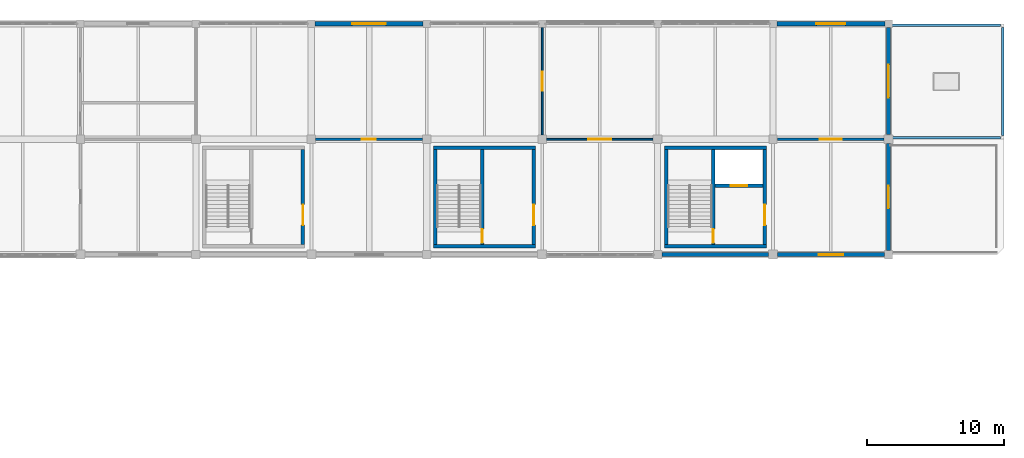
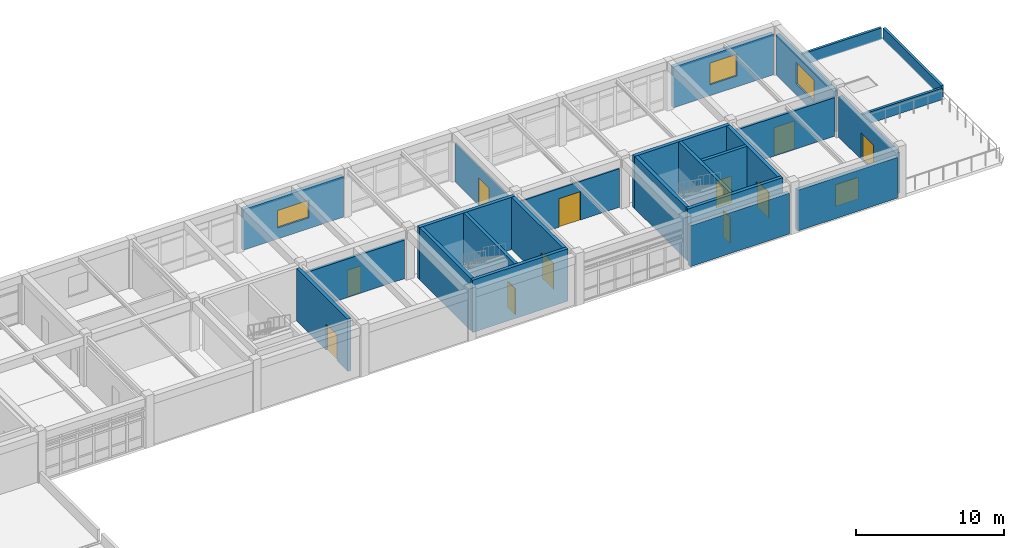
# One storey, part 16 of 18: 25 walls, 11 doors, 4 windows, 15 openings.
"""IFC4 building model written with IfcOpenShell, lengths in metres."""

from ifc_helpers import new_model, si_unit, direction, frame, frame_2d, origin, place, context, subcontext, project, spatial, rectangle, extrude, material, layer, layer_set, type_object, element, fill, save


model = new_model("IFC4")

# Units and contexts
model_context = context("Model", 3, precision=1e-05, world=origin(), true_north=direction((0.0, 1.0)))
body_context = subcontext(model_context, "Body", "Model", "MODEL_VIEW")
ifc_project = project(units=[si_unit("LENGTHUNIT", "METRE"), si_unit("AREAUNIT", "SQUARE_METRE"), si_unit("VOLUMEUNIT", "CUBIC_METRE"), si_unit("PLANEANGLEUNIT", "RADIAN"), si_unit("MASSUNIT", "GRAM", prefix="KILO")], contexts=[model_context])

# Site, building, storey
site_placement = place(None, origin())
site = spatial("IfcSite", under=ifc_project, at=site_placement, CompositionType="ELEMENT")
building_placement = place(site_placement, origin())
building = spatial("IfcBuilding", under=site, at=building_placement, Name="Porcellanite Civic Hall", CompositionType="ELEMENT")
storey_placement = place(building_placement, frame((0.0, 0.0, 23.39990234375)))
storey = spatial("IfcBuildingStorey", under=building, at=storey_placement, Name="L05", CompositionType="ELEMENT", Elevation=23.39990234375)

# Wall, opening, door
ifc_material_1 = material(Name="Concrete N40 (40 MPa)", Category="concrete")
ifc_layer_1 = layer(ifc_material_1, 0.239990234375)
ifc_layer_set_1 = layer_set([ifc_layer_1], Name="Concrete N40 (40 MPa)")
wall_type_1 = type_object("IfcWallType", Name="CW-SH240", PredefinedType="SHEAR", material=ifc_layer_set_1)
wall_1_placement = place(storey_placement, frame((113.239990234375, 101.5400390625, 0.0), z_axis=(0.0, 0.0, 1.0), x_axis=(0.0, 1.0, 0.0)))
wall_1 = element("IfcWall", 1, at=wall_1_placement, inside=storey, type_object=wall_type_1, Name="Core divider C4 L05", PredefinedType="SHEAR", context=body_context, shape_type="SweptSolid", body=[
    extrude(rectangle(XDim=6.919921875, YDim=0.239990234375, at=frame_2d((3.4599609375, 0.0))), origin(), (0.0, 0.0, 1.0), 4.320068359375),
])
opening_1_placement = place(wall_1_placement, frame((0.1201171875, 0.0, 0.0)))
opening_1 = element("IfcOpeningElement", 2, at=opening_1_placement, cuts=wall_1, Name="Opening FD-C4-L05-ST", PredefinedType="OPENING", context=body_context, shape_type="SweptSolid", body=[
    extrude(rectangle(XDim=1.0, YDim=2.14990234375, at=frame_2d((0.5, 1.074951171875))), frame((0.0, 0.1201171875, 0.0), z_axis=(0.0, -1.0, 0.0), x_axis=(1.0, 0.0, 0.0)), (0.0, 0.0, 1.0), 0.239990234375),
])
ifc_material_2 = material(Name="Fire-rated solid-core hardwood timber", Category="wood")
door_type_1 = type_object("IfcDoorType", Name="DR-FD100", OperationType="NOTDEFINED", PredefinedType="DOOR", material=ifc_material_2)
door_1_placement = place(opening_1_placement, origin())
door_1 = element("IfcDoor", 3, at=door_1_placement, inside=storey, type_object=door_type_1, Name="Fire stair door FD-C4-L05-ST", OperationType="SINGLE_SWING_LEFT", OverallHeight=2.14990234375, OverallWidth=1.0, PredefinedType="DOOR", context=body_context, shape_type="SweptSolid", body=[
    extrude(rectangle(XDim=1.0, YDim=2.14990234375, at=frame_2d((0.5, 1.074951171875))), frame((0.0, 0.02490234375, 0.0), z_axis=(0.0, -1.0, 0.0), x_axis=(1.0, 0.0, 0.0)), (0.0, 0.0, 1.0), 0.050048828125),
])
fill(opening_1, door_1)

wall_2_placement = place(storey_placement, frame((113.360107421875, 105.820068359375, 0.0), z_axis=(0.0, 0.0, 1.0), x_axis=(1.0, 0.0, 0.0)))
wall_2 = element("IfcWall", 4, at=wall_2_placement, inside=storey, type_object=wall_type_1, Name="Lift shaft wall C4 L05", PredefinedType="SHEAR", context=body_context, shape_type="SweptSolid", body=[
    extrude(rectangle(XDim=3.5, YDim=0.239990234375, at=frame_2d((1.75, 0.0))), origin(), (0.0, 0.0, 1.0), 4.320068359375),
])
opening_2_placement = place(wall_2_placement, frame((1.14990234375, 0.0, 0.0)))
opening_2 = element("IfcOpeningElement", 5, at=opening_2_placement, cuts=wall_2, Name="Opening LD-02", PredefinedType="OPENING", context=body_context, shape_type="SweptSolid", body=[
    extrude(rectangle(XDim=1.199951171875, YDim=2.199951171875, at=frame_2d((0.60009765625, 1.10009765625))), frame((0.0, 0.1201171875, 0.0), z_axis=(0.0, -1.0, 0.0), x_axis=(1.0, 0.0, 0.0)), (0.0, 0.0, 1.0), 0.239990234375),
])
ifc_material_3 = material(Name="Brushed stainless steel 316", Category="steel")
door_type_2 = type_object("IfcDoorType", Name="DR-LD120", OperationType="DOUBLE_DOOR_SLIDING", PredefinedType="DOOR", material=ifc_material_3)
door_2_placement = place(opening_2_placement, origin())
door_2 = element("IfcDoor", 6, at=door_2_placement, inside=storey, type_object=door_type_2, Name="Lift landing sliding door LD-02 L05", OperationType="DOUBLE_DOOR_SLIDING", OverallHeight=2.199951171875, OverallWidth=1.199951171875, PredefinedType="DOOR", context=body_context, shape_type="SweptSolid", body=[
    extrude(rectangle(XDim=1.199951171875, YDim=2.199951171875, at=frame_2d((0.60009765625, 1.10009765625))), frame((0.0, 0.02490234375, 0.0), z_axis=(0.0, -1.0, 0.0), x_axis=(1.0, 0.0, 0.0)), (0.0, 0.0, 1.0), 0.050048828125),
])
fill(opening_2, door_2)

wall_3_placement = place(storey_placement, frame((96.43994140625, 101.5400390625, 0.0), z_axis=(0.0, 0.0, 1.0), x_axis=(0.0, 1.0, 0.0)))
wall_3 = element("IfcWall", 7, at=wall_3_placement, inside=storey, type_object=wall_type_1, Name="Core divider S10 L05", PredefinedType="SHEAR", context=body_context, shape_type="SweptSolid", body=[
    extrude(rectangle(XDim=6.919921875, YDim=0.239990234375, at=frame_2d((3.4599609375, 0.0))), origin(), (0.0, 0.0, 1.0), 4.320068359375),
])
opening_3_placement = place(wall_3_placement, frame((0.1201171875, 0.0, 0.0)))
opening_3 = element("IfcOpeningElement", 8, at=opening_3_placement, cuts=wall_3, Name="Opening FD-S10-L05-ST", PredefinedType="OPENING", context=body_context, shape_type="SweptSolid", body=[
    extrude(rectangle(XDim=1.0, YDim=2.14990234375, at=frame_2d((0.5, 1.074951171875))), frame((0.0, 0.1201171875, 0.0), z_axis=(0.0, -1.0, 0.0), x_axis=(1.0, 0.0, 0.0)), (0.0, 0.0, 1.0), 0.239990234375),
])
door_3_placement = place(opening_3_placement, origin())
door_3 = element("IfcDoor", 9, at=door_3_placement, inside=storey, type_object=door_type_1, Name="Fire stair door FD-S10-L05-ST", OperationType="SINGLE_SWING_LEFT", OverallHeight=2.14990234375, OverallWidth=1.0, PredefinedType="DOOR", context=body_context, shape_type="SweptSolid", body=[
    extrude(rectangle(XDim=1.0, YDim=2.14990234375, at=frame_2d((0.5, 1.074951171875))), frame((0.0, 0.02490234375, 0.0), z_axis=(0.0, -1.0, 0.0), x_axis=(1.0, 0.0, 0.0)), (0.0, 0.0, 1.0), 0.050048828125),
])
fill(opening_3, door_3)

# Walls
ifc_material_4 = material(Name="Concrete N40 (40 MPa)", Category="concrete")
ifc_layer_2 = layer(ifc_material_4, 0.260009765625)
ifc_layer_set_2 = layer_set([ifc_layer_2], Name="Concrete N40 (40 MPa)")
wall_type_2 = type_object("IfcWallType", Name="CW-SH260", PredefinedType="SHEAR", material=ifc_layer_set_2)
wall_4_placement = place(storey_placement, frame((117.1201171875, 101.409912109375, 0.0), z_axis=(0.0, 0.0, 1.0), x_axis=(-1.0, 0.0, 0.0)))
element("IfcWall", 10, at=wall_4_placement, inside=storey, type_object=wall_type_2, Name="Core wall C4 L05 S", PredefinedType="SHEAR", context=body_context, shape_type="SweptSolid", body=[
    extrude(rectangle(XDim=7.440185546875, YDim=0.260009765625, at=frame_2d((3.72021484375, 0.0))), origin(), (0.0, 0.0, 1.0), 4.320068359375),
])
wall_5_placement = place(storey_placement, frame((109.81005859375, 101.5400390625, 0.0), z_axis=(0.0, 0.0, 1.0), x_axis=(0.0, 1.0, 0.0)))
element("IfcWall", 11, at=wall_5_placement, inside=storey, type_object=wall_type_2, Name="Core wall C4 L05 W", PredefinedType="SHEAR", context=body_context, shape_type="SweptSolid", body=[
    extrude(rectangle(XDim=6.919921875, YDim=0.260009765625, at=frame_2d((3.4599609375, 0.0))), origin(), (0.0, 0.0, 1.0), 4.320068359375),
])
wall_6_placement = place(storey_placement, frame((109.679931640625, 108.590087890625, 0.0), z_axis=(0.0, 0.0, 1.0), x_axis=(1.0, 0.0, 0.0)))
element("IfcWall", 12, at=wall_6_placement, inside=storey, type_object=wall_type_2, Name="Core wall C4 L05 N", PredefinedType="SHEAR", context=body_context, shape_type="SweptSolid", body=[
    extrude(rectangle(XDim=7.440185546875, YDim=0.260009765625, at=frame_2d((3.72021484375, 0.0))), origin(), (0.0, 0.0, 1.0), 4.320068359375),
])

# Wall, opening, door
wall_7_placement = place(storey_placement, frame((116.989990234375, 108.4599609375, 0.0), z_axis=(0.0, 0.0, 1.0), x_axis=(0.0, -1.0, 0.0)))
wall_7 = element("IfcWall", 13, at=wall_7_placement, inside=storey, type_object=wall_type_2, Name="Core wall C4 L05 E", PredefinedType="SHEAR", context=body_context, shape_type="SweptSolid", body=[
    extrude(rectangle(XDim=6.919921875, YDim=0.260009765625, at=frame_2d((3.4599609375, 0.0))), origin(), (0.0, 0.0, 1.0), 4.320068359375),
])
opening_4_placement = place(wall_7_placement, frame((4.010009765625, 0.0, 0.0)))
opening_4 = element("IfcOpeningElement", 14, at=opening_4_placement, cuts=wall_7, Name="Opening FD-C4-L05-LB", PredefinedType="OPENING", context=body_context, shape_type="SweptSolid", body=[
    extrude(rectangle(XDim=1.5, YDim=2.14990234375, at=frame_2d((0.75, 1.074951171875))), frame((0.0, 0.1298828125, 0.0), z_axis=(0.0, -1.0, 0.0), x_axis=(1.0, 0.0, 0.0)), (0.0, 0.0, 1.0), 0.260009765625),
])
ifc_material_5 = material(Name="Fire-rated steel and Georgian wired glass", Category="steel")
door_type_3 = type_object("IfcDoorType", Name="DR-FD150", OperationType="DOUBLE_DOOR_SINGLE_SWING", PredefinedType="DOOR", material=ifc_material_5)
door_4_placement = place(opening_4_placement, origin())
door_4 = element("IfcDoor", 15, at=door_4_placement, inside=storey, type_object=door_type_3, Name="Fire lobby double door FD-C4-L05-LB", OperationType="DOUBLE_DOOR_SINGLE_SWING", OverallHeight=2.14990234375, OverallWidth=1.5, PredefinedType="DOOR", context=body_context, shape_type="SweptSolid", body=[
    extrude(rectangle(XDim=1.5, YDim=2.14990234375, at=frame_2d((0.75, 1.074951171875))), frame((0.0, 0.02490234375, 0.0), z_axis=(0.0, -1.0, 0.0), x_axis=(1.0, 0.0, 0.0)), (0.0, 0.0, 1.0), 0.050048828125),
])
fill(opening_4, door_4)

wall_8_placement = place(storey_placement, frame((83.389892578125, 108.4599609375, 0.0), z_axis=(0.0, 0.0, 1.0), x_axis=(0.0, -1.0, 0.0)))
wall_8 = element("IfcWall", 16, at=wall_8_placement, inside=storey, type_object=wall_type_2, Name="Core wall S9 L05 E", PredefinedType="SHEAR", context=body_context, shape_type="SweptSolid", body=[
    extrude(rectangle(XDim=6.919921875, YDim=0.260009765625, at=frame_2d((3.4599609375, 0.0))), origin(), (0.0, 0.0, 1.0), 4.320068359375),
])
opening_5_placement = place(wall_8_placement, frame((4.010009765625, 0.0, 0.0)))
opening_5 = element("IfcOpeningElement", 17, at=opening_5_placement, cuts=wall_8, Name="Opening FD-S9-L05-LB", PredefinedType="OPENING", context=body_context, shape_type="SweptSolid", body=[
    extrude(rectangle(XDim=1.5, YDim=2.14990234375, at=frame_2d((0.75, 1.074951171875))), frame((0.0, 0.1298828125, 0.0), z_axis=(0.0, -1.0, 0.0), x_axis=(1.0, 0.0, 0.0)), (0.0, 0.0, 1.0), 0.260009765625),
])
door_5_placement = place(opening_5_placement, origin())
door_5 = element("IfcDoor", 18, at=door_5_placement, inside=storey, type_object=door_type_3, Name="Fire lobby double door FD-S9-L05-LB", OperationType="DOUBLE_DOOR_SINGLE_SWING", OverallHeight=2.14990234375, OverallWidth=1.5, PredefinedType="DOOR", context=body_context, shape_type="SweptSolid", body=[
    extrude(rectangle(XDim=1.5, YDim=2.14990234375, at=frame_2d((0.75, 1.074951171875))), frame((0.0, 0.02490234375, 0.0), z_axis=(0.0, -1.0, 0.0), x_axis=(1.0, 0.0, 0.0)), (0.0, 0.0, 1.0), 0.050048828125),
])
fill(opening_5, door_5)

# Walls
wall_9_placement = place(storey_placement, frame((100.320068359375, 101.409912109375, 0.0), z_axis=(0.0, 0.0, 1.0), x_axis=(-1.0, 0.0, 0.0)))
element("IfcWall", 19, at=wall_9_placement, inside=storey, type_object=wall_type_2, Name="Core wall S10 L05 S", PredefinedType="SHEAR", context=body_context, shape_type="SweptSolid", body=[
    extrude(rectangle(XDim=7.440185546875, YDim=0.260009765625, at=frame_2d((3.72021484375, 0.0))), origin(), (0.0, 0.0, 1.0), 4.320068359375),
])
wall_10_placement = place(storey_placement, frame((93.010009765625, 101.5400390625, 0.0), z_axis=(0.0, 0.0, 1.0), x_axis=(0.0, 1.0, 0.0)))
element("IfcWall", 20, at=wall_10_placement, inside=storey, type_object=wall_type_2, Name="Core wall S10 L05 W", PredefinedType="SHEAR", context=body_context, shape_type="SweptSolid", body=[
    extrude(rectangle(XDim=6.919921875, YDim=0.260009765625, at=frame_2d((3.4599609375, 0.0))), origin(), (0.0, 0.0, 1.0), 4.320068359375),
])
wall_11_placement = place(storey_placement, frame((92.8798828125, 108.590087890625, 0.0), z_axis=(0.0, 0.0, 1.0), x_axis=(1.0, 0.0, 0.0)))
element("IfcWall", 21, at=wall_11_placement, inside=storey, type_object=wall_type_2, Name="Core wall S10 L05 N", PredefinedType="SHEAR", context=body_context, shape_type="SweptSolid", body=[
    extrude(rectangle(XDim=7.440185546875, YDim=0.260009765625, at=frame_2d((3.72021484375, 0.0))), origin(), (0.0, 0.0, 1.0), 4.320068359375),
])

# Wall, opening, door
wall_12_placement = place(storey_placement, frame((100.18994140625, 108.4599609375, 0.0), z_axis=(0.0, 0.0, 1.0), x_axis=(0.0, -1.0, 0.0)))
wall_12 = element("IfcWall", 22, at=wall_12_placement, inside=storey, type_object=wall_type_2, Name="Core wall S10 L05 E", PredefinedType="SHEAR", context=body_context, shape_type="SweptSolid", body=[
    extrude(rectangle(XDim=6.919921875, YDim=0.260009765625, at=frame_2d((3.4599609375, 0.0))), origin(), (0.0, 0.0, 1.0), 4.320068359375),
])
opening_6_placement = place(wall_12_placement, frame((4.010009765625, 0.0, 0.0)))
opening_6 = element("IfcOpeningElement", 23, at=opening_6_placement, cuts=wall_12, Name="Opening FD-S10-L05-LB", PredefinedType="OPENING", context=body_context, shape_type="SweptSolid", body=[
    extrude(rectangle(XDim=1.5, YDim=2.14990234375, at=frame_2d((0.75, 1.074951171875))), frame((0.0, 0.1298828125, 0.0), z_axis=(0.0, -1.0, 0.0), x_axis=(1.0, 0.0, 0.0)), (0.0, 0.0, 1.0), 0.260009765625),
])
door_6_placement = place(opening_6_placement, origin())
door_6 = element("IfcDoor", 24, at=door_6_placement, inside=storey, type_object=door_type_3, Name="Fire lobby double door FD-S10-L05-LB", OperationType="DOUBLE_DOOR_SINGLE_SWING", OverallHeight=2.14990234375, OverallWidth=1.5, PredefinedType="DOOR", context=body_context, shape_type="SweptSolid", body=[
    extrude(rectangle(XDim=1.5, YDim=2.14990234375, at=frame_2d((0.75, 1.074951171875))), frame((0.0, 0.02490234375, 0.0), z_axis=(0.0, -1.0, 0.0), x_axis=(1.0, 0.0, 0.0)), (0.0, 0.0, 1.0), 0.050048828125),
])
fill(opening_6, door_6)

# Wall, opening, window
ifc_material_6 = material(Name="Precast concrete N40 (40 MPa)", Category="concrete")
ifc_layer_3 = layer(ifc_material_6, 0.300048828125)
ifc_layer_set_3 = layer_set([ifc_layer_3], Name="Precast concrete N40 (40 MPa)")
wall_type_3 = type_object("IfcWallType", Name="EW-ADM300", PredefinedType="SOLIDWALL", material=ifc_layer_set_3)
wall_13_placement = place(storey_placement, frame((84.27587890625, 117.60009765625, 0.0), z_axis=(0.0, 0.0, 1.0), x_axis=(1.0, 0.0, 0.0)))
wall_13 = element("IfcWall", 25, at=wall_13_placement, inside=storey, type_object=wall_type_3, Name="Exterior wall L05 N 11-14", PredefinedType="SOLIDWALL", context=body_context, shape_type="SweptSolid", body=[
    extrude(rectangle(XDim=7.84814453125, YDim=0.300048828125, at=frame_2d((3.924072265625, 0.0))), origin(), (0.0, 0.0, 1.0), 3.3701171875),
])
opening_7_placement = place(wall_13_placement, frame((2.698974609375, 0.0, 0.89990234375)))
opening_7 = element("IfcOpeningElement", 26, at=opening_7_placement, cuts=wall_13, Name="Opening W40", PredefinedType="OPENING", context=body_context, shape_type="SweptSolid", body=[
    extrude(rectangle(XDim=2.449951171875, YDim=1.449951171875, at=frame_2d((1.22509765625, 0.72509765625))), frame((0.0, 0.14990234375, 0.0), z_axis=(0.0, -1.0, 0.0), x_axis=(1.0, 0.0, 0.0)), (0.0, 0.0, 1.0), 0.300048828125),
])
ifc_material_7 = material(Name="Cyclone laminated low-E glazing in anodised aluminium frame", Category="aluminium")
window_type_1 = type_object("IfcWindowType", Name="WN-40", PartitioningType="DOUBLE_PANEL_VERTICAL", PredefinedType="WINDOW", material=ifc_material_7)
window_1_placement = place(opening_7_placement, origin())
window_1 = element("IfcWindow", 27, at=window_1_placement, inside=storey, type_object=window_type_1, Name="Window W40 L05 N 11-14", OverallHeight=1.449951171875, OverallWidth=2.449951171875, PartitioningType="SINGLE_PANEL", PredefinedType="WINDOW", context=body_context, shape_type="SweptSolid", body=[
    extrude(rectangle(XDim=2.449951171875, YDim=1.449951171875, at=frame_2d((1.22509765625, 0.72509765625))), frame((0.0, 0.030029296875, 0.0), z_axis=(0.0, -1.0, 0.0), x_axis=(1.0, 0.0, 0.0)), (0.0, 0.0, 1.0), 0.06005859375),
])
fill(opening_7, window_1)

# Wall
wall_14_placement = place(storey_placement, frame((117.27392578125, 100.800048828125, 0.0), z_axis=(0.0, 0.0, 1.0), x_axis=(-1.0, 0.0, 0.0)))
element("IfcWall", 28, at=wall_14_placement, inside=storey, type_object=wall_type_3, Name="Exterior wall L05 S 14-13", PredefinedType="SOLIDWALL", context=body_context, shape_type="SweptSolid", body=[
    extrude(rectangle(XDim=7.77294921875, YDim=0.300048828125, at=frame_2d((3.886474609375, 0.0))), origin(), (0.0, 0.0, 1.0), 3.3701171875),
])

# Wall, opening, window
wall_15_placement = place(storey_placement, frame((125.698974609375, 100.800048828125, 0.0), z_axis=(0.0, 0.0, 1.0), x_axis=(-1.0, 0.0, 0.0)))
wall_15 = element("IfcWall", 29, at=wall_15_placement, inside=storey, type_object=wall_type_3, Name="Exterior wall L05 S 15-13", PredefinedType="SOLIDWALL", context=body_context, shape_type="SweptSolid", body=[
    extrude(rectangle(XDim=7.77294921875, YDim=0.300048828125, at=frame_2d((3.886474609375, 0.0))), origin(), (0.0, 0.0, 1.0), 3.3701171875),
])
opening_8_placement = place(wall_15_placement, frame((2.986083984375, 0.0, 0.89990234375)))
opening_8 = element("IfcOpeningElement", 30, at=opening_8_placement, cuts=wall_15, Name="Opening W01", PredefinedType="OPENING", context=body_context, shape_type="SweptSolid", body=[
    extrude(rectangle(XDim=1.800048828125, YDim=1.800048828125, at=frame_2d((0.89990234375, 0.89990234375))), frame((0.0, 0.14990234375, 0.0), z_axis=(0.0, -1.0, 0.0), x_axis=(1.0, 0.0, 0.0)), (0.0, 0.0, 1.0), 0.300048828125),
])
ifc_material_8 = material(Name="Cyclone laminated low-E glazing in anodised aluminium frame", Category="aluminium")
window_type_2 = type_object("IfcWindowType", Name="WN-01", PartitioningType="DOUBLE_PANEL_VERTICAL", PredefinedType="WINDOW", material=ifc_material_8)
window_2_placement = place(opening_8_placement, origin())
window_2 = element("IfcWindow", 31, at=window_2_placement, inside=storey, type_object=window_type_2, Name="Window W01 L05 S 15-13", OverallHeight=1.800048828125, OverallWidth=1.800048828125, PartitioningType="SINGLE_PANEL", PredefinedType="WINDOW", context=body_context, shape_type="SweptSolid", body=[
    extrude(rectangle(XDim=1.800048828125, YDim=1.800048828125, at=frame_2d((0.89990234375, 0.89990234375))), frame((0.0, 0.030029296875, 0.0), z_axis=(0.0, -1.0, 0.0), x_axis=(1.0, 0.0, 0.0)), (0.0, 0.0, 1.0), 0.06005859375),
])
fill(opening_8, window_2)

# Wall, opening, door
wall_16_placement = place(storey_placement, frame((126.0, 108.8740234375, 0.0), z_axis=(0.0, 0.0, 1.0), x_axis=(0.0, -1.0, 0.0)))
wall_16 = element("IfcWall", 32, at=wall_16_placement, inside=storey, type_object=wall_type_3, Name="Exterior wall L05 E 15-13", PredefinedType="SOLIDWALL", context=body_context, shape_type="SweptSolid", body=[
    extrude(rectangle(XDim=7.77294921875, YDim=0.300048828125, at=frame_2d((3.886474609375, 0.0))), origin(), (0.0, 0.0, 1.0), 3.3701171875),
])
opening_9_placement = place(wall_16_placement, frame((3.06103515625, 0.0, 0.0)))
opening_9 = element("IfcOpeningElement", 33, at=opening_9_placement, cuts=wall_16, Name="Opening TD-16", PredefinedType="OPENING", context=body_context, shape_type="SweptSolid", body=[
    extrude(rectangle(XDim=1.64990234375, YDim=2.199951171875, at=frame_2d((0.824951171875, 1.10009765625))), frame((0.0, 0.14990234375, 0.0), z_axis=(0.0, -1.0, 0.0), x_axis=(1.0, 0.0, 0.0)), (0.0, 0.0, 1.0), 0.300048828125),
])
ifc_material_9 = material(Name="Anodised aluminium and laminated safety glass", Category="aluminium")
door_type_4 = type_object("IfcDoorType", Name="DR-TER165", OperationType="DOUBLE_DOOR_SINGLE_SWING", PredefinedType="DOOR", material=ifc_material_9)
door_7_placement = place(opening_9_placement, origin())
door_7 = element("IfcDoor", 34, at=door_7_placement, inside=storey, type_object=door_type_4, Name="Civic terrace door TD-16", OperationType="DOUBLE_DOOR_SINGLE_SWING", OverallHeight=2.199951171875, OverallWidth=1.64990234375, PredefinedType="DOOR", context=body_context, shape_type="SweptSolid", body=[
    extrude(rectangle(XDim=1.64990234375, YDim=2.199951171875, at=frame_2d((0.824951171875, 1.10009765625))), frame((0.0, 0.02490234375, 0.0), z_axis=(0.0, -1.0, 0.0), x_axis=(1.0, 0.0, 0.0)), (0.0, 0.0, 1.0), 0.050048828125),
])
fill(opening_9, door_7)

# Wall, opening, window
wall_17_placement = place(storey_placement, frame((117.8759765625, 117.60009765625, 0.0), z_axis=(0.0, 0.0, 1.0), x_axis=(1.0, 0.0, 0.0)))
wall_17 = element("IfcWall", 35, at=wall_17_placement, inside=storey, type_object=wall_type_3, Name="Exterior wall L05 N 15-14", PredefinedType="SOLIDWALL", context=body_context, shape_type="SweptSolid", body=[
    extrude(rectangle(XDim=7.84814453125, YDim=0.300048828125, at=frame_2d((3.924072265625, 0.0))), origin(), (0.0, 0.0, 1.0), 3.3701171875),
])
opening_10_placement = place(wall_17_placement, frame((2.8740234375, 0.0, 0.89990234375)))
opening_10 = element("IfcOpeningElement", 36, at=opening_10_placement, cuts=wall_17, Name="Opening W02", PredefinedType="OPENING", context=body_context, shape_type="SweptSolid", body=[
    extrude(rectangle(XDim=2.10009765625, YDim=1.800048828125, at=frame_2d((1.050048828125, 0.89990234375))), frame((0.0, 0.14990234375, 0.0), z_axis=(0.0, -1.0, 0.0), x_axis=(1.0, 0.0, 0.0)), (0.0, 0.0, 1.0), 0.300048828125),
])
ifc_material_10 = material(Name="Cyclone laminated low-E glazing in anodised aluminium frame", Category="aluminium")
window_type_3 = type_object("IfcWindowType", Name="WN-02", PartitioningType="DOUBLE_PANEL_VERTICAL", PredefinedType="WINDOW", material=ifc_material_10)
window_3_placement = place(opening_10_placement, origin())
window_3 = element("IfcWindow", 37, at=window_3_placement, inside=storey, type_object=window_type_3, Name="Window W02 L05 N 15-14", OverallHeight=1.800048828125, OverallWidth=2.10009765625, PartitioningType="SINGLE_PANEL", PredefinedType="WINDOW", context=body_context, shape_type="SweptSolid", body=[
    extrude(rectangle(XDim=2.10009765625, YDim=1.800048828125, at=frame_2d((1.050048828125, 0.89990234375))), frame((0.0, 0.030029296875, 0.0), z_axis=(0.0, -1.0, 0.0), x_axis=(1.0, 0.0, 0.0)), (0.0, 0.0, 1.0), 0.06005859375),
])
fill(opening_10, window_3)

wall_18_placement = place(storey_placement, frame((126.0, 117.323974609375, 0.0), z_axis=(0.0, 0.0, 1.0), x_axis=(0.0, -1.0, 0.0)))
wall_18 = element("IfcWall", 38, at=wall_18_placement, inside=storey, type_object=wall_type_3, Name="Exterior wall L05 E 15-14", PredefinedType="SOLIDWALL", context=body_context, shape_type="SweptSolid", body=[
    extrude(rectangle(XDim=7.798095703125, YDim=0.300048828125, at=frame_2d((3.89892578125, 0.0))), origin(), (0.0, 0.0, 1.0), 3.3701171875),
])
opening_11_placement = place(wall_18_placement, frame((2.698974609375, 0.0, 0.89990234375)))
opening_11 = element("IfcOpeningElement", 39, at=opening_11_placement, cuts=wall_18, Name="Opening W03", PredefinedType="OPENING", context=body_context, shape_type="SweptSolid", body=[
    extrude(rectangle(XDim=2.39990234375, YDim=1.800048828125, at=frame_2d((1.199951171875, 0.89990234375))), frame((0.0, 0.14990234375, 0.0), z_axis=(0.0, -1.0, 0.0), x_axis=(1.0, 0.0, 0.0)), (0.0, 0.0, 1.0), 0.300048828125),
])
ifc_material_11 = material(Name="Cyclone laminated low-E glazing in anodised aluminium frame", Category="aluminium")
window_type_4 = type_object("IfcWindowType", Name="WN-03", PartitioningType="TRIPLE_PANEL_VERTICAL", PredefinedType="WINDOW", material=ifc_material_11)
window_4_placement = place(opening_11_placement, origin())
window_4 = element("IfcWindow", 40, at=window_4_placement, inside=storey, type_object=window_type_4, Name="Window W03 L05 E 15-14", OverallHeight=1.800048828125, OverallWidth=2.39990234375, PartitioningType="SINGLE_PANEL", PredefinedType="WINDOW", context=body_context, shape_type="SweptSolid", body=[
    extrude(rectangle(XDim=2.39990234375, YDim=1.800048828125, at=frame_2d((1.199951171875, 0.89990234375))), frame((0.0, 0.030029296875, 0.0), z_axis=(0.0, -1.0, 0.0), x_axis=(1.0, 0.0, 0.0)), (0.0, 0.0, 1.0), 0.06005859375),
])
fill(opening_11, window_4)

# Wall, opening, door
ifc_material_12 = material(Name="Insulated acoustic plasterboard on light-gauge steel studs", Category="steel")
ifc_layer_4 = layer(ifc_material_12, 0.114990234375)
ifc_layer_set_4 = layer_set([ifc_layer_4], Name="Insulated acoustic plasterboard on light-gauge steel studs")
wall_type_4 = type_object("IfcWallType", Name="IW-PT115", PredefinedType="PARTITIONING", material=ifc_layer_set_4)
wall_19_placement = place(storey_placement, frame((100.800048828125, 109.501953125, 0.0), z_axis=(0.0, 0.0, 1.0), x_axis=(0.0, 1.0, 0.0)))
wall_19 = element("IfcWall", 41, at=wall_19_placement, inside=storey, type_object=wall_type_4, Name="Partition L05 V 12-14", PredefinedType="PARTITIONING", context=body_context, shape_type="SweptSolid", body=[
    extrude(rectangle(XDim=7.821044921875, YDim=0.114990234375, at=frame_2d((3.91064453125, 0.0))), origin(), (0.0, 0.0, 1.0), 3.190185546875),
])
opening_12_placement = place(wall_19_placement, frame((3.2099609375, 0.0, 0.0)))
opening_12 = element("IfcOpeningElement", 42, at=opening_12_placement, cuts=wall_19, Name="Opening D-L05-502", PredefinedType="OPENING", context=body_context, shape_type="SweptSolid", body=[
    extrude(rectangle(XDim=1.39990234375, YDim=2.25, at=frame_2d((0.699951171875, 1.125))), frame((0.0, 0.0576171875, 0.0), z_axis=(0.0, -1.0, 0.0), x_axis=(1.0, 0.0, 0.0)), (0.0, 0.0, 1.0), 0.114990234375),
])
ifc_material_13 = material(Name="Acoustic spotted-gum timber and safety glass", Category="wood")
door_type_5 = type_object("IfcDoorType", Name="DR-AS140", OperationType="DOUBLE_DOOR_SINGLE_SWING", PredefinedType="DOOR", material=ifc_material_13)
door_8_placement = place(opening_12_placement, origin())
door_8 = element("IfcDoor", 43, at=door_8_placement, inside=storey, type_object=door_type_5, Name="Interior door D-L05-502", OperationType="DOUBLE_DOOR_SINGLE_SWING", OverallHeight=2.25, OverallWidth=1.39990234375, PredefinedType="DOOR", context=body_context, shape_type="SweptSolid", body=[
    extrude(rectangle(XDim=1.39990234375, YDim=2.25, at=frame_2d((0.699951171875, 1.125))), frame((0.0, 0.02490234375, 0.0), z_axis=(0.0, -1.0, 0.0), x_axis=(1.0, 0.0, 0.0)), (0.0, 0.0, 1.0), 0.050048828125),
])
fill(opening_12, door_8)

ifc_material_14 = material(Name="Insulated acoustic plasterboard on light-gauge steel studs", Category="steel")
ifc_layer_5 = layer(ifc_material_14, 0.135009765625)
ifc_layer_set_5 = layer_set([ifc_layer_5], Name="Insulated acoustic plasterboard on light-gauge steel studs")
wall_type_5 = type_object("IfcWallType", Name="IW-PT135", PredefinedType="PARTITIONING", material=ifc_layer_set_5)
wall_20_placement = place(storey_placement, frame((101.10205078125, 109.199951171875, 0.0), z_axis=(0.0, 0.0, 1.0), x_axis=(1.0, 0.0, 0.0)))
wall_20 = element("IfcWall", 44, at=wall_20_placement, inside=storey, type_object=wall_type_5, Name="Partition L05 H 13-13", PredefinedType="PARTITIONING", context=body_context, shape_type="SweptSolid", body=[
    extrude(rectangle(XDim=7.77099609375, YDim=0.135009765625, at=frame_2d((3.885498046875, 0.0))), origin(), (0.0, 0.0, 1.0), 3.190185546875),
])
opening_13_placement = place(wall_20_placement, frame((3.034912109375, 0.0, 0.0)))
opening_13 = element("IfcOpeningElement", 45, at=opening_13_placement, cuts=wall_20, Name="Opening D-L05-498", PredefinedType="OPENING", context=body_context, shape_type="SweptSolid", body=[
    extrude(rectangle(XDim=1.699951171875, YDim=2.35009765625, at=frame_2d((0.85009765625, 1.175048828125))), frame((0.0, 0.0673828125, 0.0), z_axis=(0.0, -1.0, 0.0), x_axis=(1.0, 0.0, 0.0)), (0.0, 0.0, 1.0), 0.135009765625),
])
ifc_material_15 = material(Name="Acoustic spotted-gum timber and safety glass", Category="wood")
door_type_6 = type_object("IfcDoorType", Name="DR-AS170", OperationType="DOUBLE_DOOR_SINGLE_SWING", PredefinedType="DOOR", material=ifc_material_15)
door_9_placement = place(opening_13_placement, origin())
door_9 = element("IfcDoor", 46, at=door_9_placement, inside=storey, type_object=door_type_6, Name="Interior door D-L05-498", OperationType="DOUBLE_DOOR_SINGLE_SWING", OverallHeight=2.35009765625, OverallWidth=1.699951171875, PredefinedType="DOOR", context=body_context, shape_type="SweptSolid", body=[
    extrude(rectangle(XDim=1.699951171875, YDim=2.35009765625, at=frame_2d((0.85009765625, 1.175048828125))), frame((0.0, 0.02490234375, 0.0), z_axis=(0.0, -1.0, 0.0), x_axis=(1.0, 0.0, 0.0)), (0.0, 0.0, 1.0), 0.050048828125),
])
fill(opening_13, door_9)

ifc_material_16 = material(Name="Insulated acoustic plasterboard on light-gauge steel studs", Category="steel")
ifc_layer_6 = layer(ifc_material_16, 0.195068359375)
ifc_layer_set_6 = layer_set([ifc_layer_6], Name="Insulated acoustic plasterboard on light-gauge steel studs")
wall_type_6 = type_object("IfcWallType", Name="IW-PT195", PredefinedType="PARTITIONING", material=ifc_layer_set_6)
wall_21_placement = place(storey_placement, frame((84.302001953125, 109.199951171875, 0.0), z_axis=(0.0, 0.0, 1.0), x_axis=(1.0, 0.0, 0.0)))
wall_21 = element("IfcWall", 47, at=wall_21_placement, inside=storey, type_object=wall_type_6, Name="Partition L05 H 11-13", PredefinedType="PARTITIONING", context=body_context, shape_type="SweptSolid", body=[
    extrude(rectangle(XDim=7.77099609375, YDim=0.195068359375, at=frame_2d((3.885498046875, 0.0))), origin(), (0.0, 0.0, 1.0), 3.190185546875),
])
opening_14_placement = place(wall_21_placement, frame((3.375, 0.0, 0.0)))
opening_14 = element("IfcOpeningElement", 48, at=opening_14_placement, cuts=wall_21, Name="Opening D-L05-497", PredefinedType="OPENING", context=body_context, shape_type="SweptSolid", body=[
    extrude(rectangle(XDim=1.02001953125, YDim=2.199951171875, at=frame_2d((0.510009765625, 1.10009765625))), frame((0.0, 0.09765625, 0.0), z_axis=(0.0, -1.0, 0.0), x_axis=(1.0, 0.0, 0.0)), (0.0, 0.0, 1.0), 0.195068359375),
])
ifc_material_17 = material(Name="Solid-core spotted-gum timber", Category="wood")
door_type_7 = type_object("IfcDoorType", Name="DR-RM102", OperationType="NOTDEFINED", PredefinedType="DOOR", material=ifc_material_17)
door_10_placement = place(opening_14_placement, origin())
door_10 = element("IfcDoor", 49, at=door_10_placement, inside=storey, type_object=door_type_7, Name="Interior door D-L05-497", OperationType="SINGLE_SWING_LEFT", OverallHeight=2.199951171875, OverallWidth=1.02001953125, PredefinedType="DOOR", context=body_context, shape_type="SweptSolid", body=[
    extrude(rectangle(XDim=1.02001953125, YDim=2.199951171875, at=frame_2d((0.510009765625, 1.10009765625))), frame((0.0, 0.02490234375, 0.0), z_axis=(0.0, -1.0, 0.0), x_axis=(1.0, 0.0, 0.0)), (0.0, 0.0, 1.0), 0.050048828125),
])
fill(opening_14, door_10)

wall_22_placement = place(storey_placement, frame((117.902099609375, 109.199951171875, 0.0), z_axis=(0.0, 0.0, 1.0), x_axis=(1.0, 0.0, 0.0)))
wall_22 = element("IfcWall", 50, at=wall_22_placement, inside=storey, type_object=wall_type_6, Name="Partition L05 H 15-13", PredefinedType="PARTITIONING", context=body_context, shape_type="SweptSolid", body=[
    extrude(rectangle(XDim=7.77099609375, YDim=0.195068359375, at=frame_2d((3.885498046875, 0.0))), origin(), (0.0, 0.0, 1.0), 3.190185546875),
])
opening_15_placement = place(wall_22_placement, frame((3.0849609375, 0.0, 0.0)))
opening_15 = element("IfcOpeningElement", 51, at=opening_15_placement, cuts=wall_22, Name="Opening D-L05-499", PredefinedType="OPENING", context=body_context, shape_type="SweptSolid", body=[
    extrude(rectangle(XDim=1.60009765625, YDim=2.300048828125, at=frame_2d((0.800048828125, 1.14990234375))), frame((0.0, 0.09765625, 0.0), z_axis=(0.0, -1.0, 0.0), x_axis=(1.0, 0.0, 0.0)), (0.0, 0.0, 1.0), 0.195068359375),
])
ifc_material_18 = material(Name="Acoustic spotted-gum timber and safety glass", Category="wood")
door_type_8 = type_object("IfcDoorType", Name="DR-AS160", OperationType="DOUBLE_DOOR_SINGLE_SWING", PredefinedType="DOOR", material=ifc_material_18)
door_11_placement = place(opening_15_placement, origin())
door_11 = element("IfcDoor", 52, at=door_11_placement, inside=storey, type_object=door_type_8, Name="Interior door D-L05-499", OperationType="DOUBLE_DOOR_SINGLE_SWING", OverallHeight=2.300048828125, OverallWidth=1.60009765625, PredefinedType="DOOR", context=body_context, shape_type="SweptSolid", body=[
    extrude(rectangle(XDim=1.60009765625, YDim=2.300048828125, at=frame_2d((0.800048828125, 1.14990234375))), frame((0.0, 0.02490234375, 0.0), z_axis=(0.0, -1.0, 0.0), x_axis=(1.0, 0.0, 0.0)), (0.0, 0.0, 1.0), 0.050048828125),
])
fill(opening_15, door_11)

# Walls
ifc_material_19 = material(Name="Precast concrete N40 (40 MPa)", Category="concrete")
ifc_layer_7 = layer(ifc_material_19, 0.18994140625)
ifc_layer_set_7 = layer_set([ifc_layer_7], Name="Precast concrete N40 (40 MPa)")
wall_type_7 = type_object("IfcWallType", Name="WP-PAR4", PredefinedType="PARAPET", material=ifc_layer_set_7)
for number, where, z_axis, x_axis, name in (
    (53, (134.139892578125, 109.294921875, 0.0), (0.0, 0.0, 1.0), (-1.0, 0.0, 0.0), "Roof parapet L05 S 16-14"),
    (54, (126.260009765625, 117.5048828125, 0.0), (0.0, 0.0, 1.0), (1.0, 0.0, 0.0), "Roof parapet L05 N 16-14"),
):
    element("IfcWall", number, at=place(storey_placement, frame(where, z_axis=z_axis, x_axis=x_axis)), inside=storey, type_object=wall_type_7, Name=name, PredefinedType="PARAPET", context=body_context, shape_type="SweptSolid", body=[
        extrude(rectangle(XDim=7.8798828125, YDim=0.18994140625, at=frame_2d((3.93994140625, 0.0))), origin(), (0.0, 0.0, 1.0), 0.9501953125),
    ])
wall_23_placement = place(storey_placement, frame((134.304931640625, 117.340087890625, 0.0), z_axis=(0.0, 0.0, 1.0), x_axis=(0.0, -1.0, 0.0)))
element("IfcWall", 55, at=wall_23_placement, inside=storey, type_object=wall_type_7, Name="Roof parapet L05 E 16-14", PredefinedType="PARAPET", context=body_context, shape_type="SweptSolid", body=[
    extrude(rectangle(XDim=7.880126953125, YDim=0.18994140625, at=frame_2d((3.93994140625, 0.0))), origin(), (0.0, 0.0, 1.0), 0.9501953125),
])

save(model, "model.ifc")
